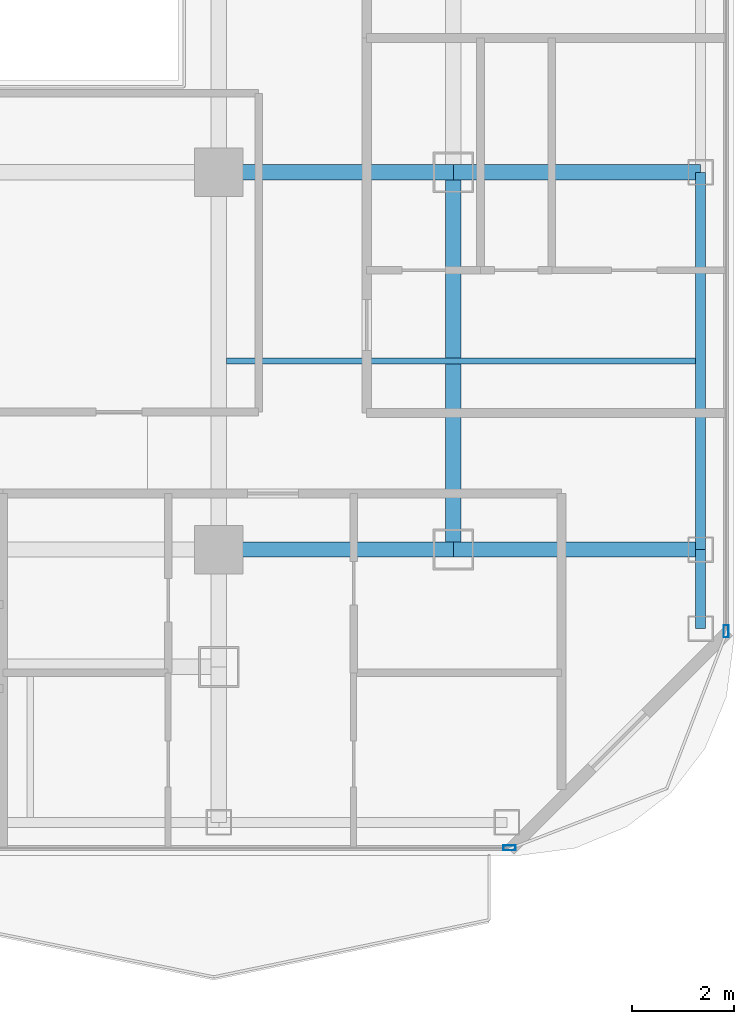
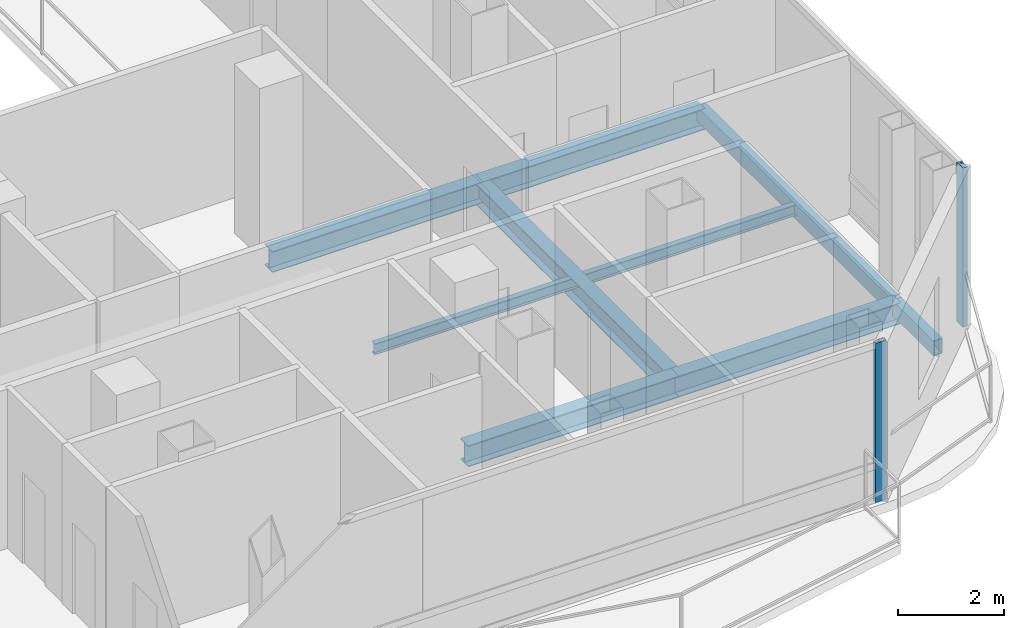
# One storey, part 8 of 24: 8 beams, 2 members, 2 elements without a shape of their own.
"""IFC4 building model written with IfcOpenShell, lengths in metres."""

import ifcopenshell
import ifcopenshell.guid

model = None  # the IFC model being written
_history = None  # IfcOwnerHistory: only IFC2X3 demands one
_inside = {}  # id of a spatial element -> (the spatial element, [elements in it])
_under = {}  # id of a project, library or spatial element -> (it, [spatial elements below it])
_declared = {}  # id of a project -> (the project, [libraries it declares])
_typed = {}  # id of a type object -> (the type object, [elements of that type])
_made_of = {}  # id of a material, layer set ... -> (it, [elements and type objects made of it])


def new_model(schema):
    """Start an empty IFC model of exactly this schema.

    Asked for "IFC4X3", IfcOpenShell would pick the latest addendum, in which some entities
    have other attributes; the version numbers below select the first issue.
    IFC2X3 requires an IfcOwnerHistory on every rooted entity: one is made here for all.
    """
    global model, _history
    if schema == "IFC4X3":
        model = ifcopenshell.file(schema_version=(4, 3, 0, 0))
    else:
        model = ifcopenshell.file(schema=schema)
    _inside.clear()
    _under.clear()
    _declared.clear()
    _typed.clear()
    _made_of.clear()
    _history = None
    if model.schema == "IFC2X3":
        org = make("IfcOrganization", Name="unknown")
        user = make(
            "IfcPersonAndOrganization",
            ThePerson=make("IfcPerson", FamilyName="unknown"),
            TheOrganization=org,
        )
        app = make(
            "IfcApplication",
            ApplicationDeveloper=org,
            Version="unknown",
            ApplicationFullName="unknown",
            ApplicationIdentifier="unknown",
        )
        _history = make(
            "IfcOwnerHistory",
            OwningUser=user,
            OwningApplication=app,
            ChangeAction="ADDED",
            CreationDate=0,
        )
    return model


def make(cls, **values):
    """One entity of the class cls with the attributes given. An attribute that is None is left unset."""
    return model.create_entity(
        cls, **{name: value for name, value in values.items() if value is not None}
    )


def rooted(cls, **values):
    """An entity with a GlobalId (a new one), such as an element, a storey or a relation."""
    return make(cls, GlobalId=ifcopenshell.guid.new(), OwnerHistory=_history, **values)


def si_unit(unit_type, name, prefix=None):
    """IfcSIUnit, for example si_unit("LENGTHUNIT", "METRE", prefix="MILLI")."""
    return make("IfcSIUnit", UnitType=unit_type, Prefix=prefix, Name=name)


def assignment(units):
    """IfcUnitAssignment: the units of a project."""
    return None if units is None else make("IfcUnitAssignment", Units=units)


def point(xyz):
    """IfcCartesianPoint."""
    return None if xyz is None else make("IfcCartesianPoint", Coordinates=xyz)


def direction(xyz):
    """IfcDirection."""
    return None if xyz is None else make("IfcDirection", DirectionRatios=xyz)


def frame(location, z_axis=None, x_axis=None):
    """IfcAxis2Placement3D, a coordinate frame: its origin and axes. An axis left out is left unset."""
    return make(
        "IfcAxis2Placement3D",
        Location=point(location),
        Axis=direction(z_axis),
        RefDirection=direction(x_axis),
    )


def frame_2d(location, x_axis=None):
    """IfcAxis2Placement2D, a coordinate frame in the plane: its origin and x axis."""
    return make(
        "IfcAxis2Placement2D", Location=point(location), RefDirection=direction(x_axis)
    )


def origin():
    """The frame at (0, 0, 0) with its axes left unset."""
    return frame((0.0, 0.0, 0.0))


def origin_2d():
    """The frame at (0, 0) in the plane with its x axis left unset."""
    return frame_2d((0.0, 0.0))


def place(relative_to, where):
    """IfcLocalPlacement: puts the frame where relative to a parent placement (None: the world)."""
    return make(
        "IfcLocalPlacement", PlacementRelTo=relative_to, RelativePlacement=where
    )


def context(
    kind, dimensions, precision=None, world=None, true_north=None, identifier=None
):
    """IfcGeometricRepresentationContext, for example the 3D "Model" context."""
    return make(
        "IfcGeometricRepresentationContext",
        ContextIdentifier=identifier,
        ContextType=kind,
        CoordinateSpaceDimension=dimensions,
        Precision=precision,
        WorldCoordinateSystem=world,
        TrueNorth=true_north,
    )


def subcontext(parent, identifier, kind, view, scale=None):
    """IfcGeometricRepresentationSubContext, for example "Body" below "Model"."""
    return make(
        "IfcGeometricRepresentationSubContext",
        ContextIdentifier=identifier,
        ContextType=kind,
        ParentContext=parent,
        TargetScale=scale,
        TargetView=view,
    )


def project(units=None, contexts=None):
    """IfcProject with its units and contexts."""
    return rooted(
        "IfcProject",
        Name="project",
        RepresentationContexts=contexts,
        UnitsInContext=assignment(units),
    )


def spatial(cls, under=None, at=None, **own):
    """A site, building, storey or space (cls), placed at a placement, below another one or the project."""
    s = rooted(cls, ObjectPlacement=at, **own)
    if under is not None:
        _under.setdefault(under.id(), (under, []))[1].append(s)
    return s


def profile(cls, at=None, kind="AREA", **sizes):
    """A parametric profile (cls). Its sizes go by their IFC names, for example OverallWidth=200.0."""
    return make(cls, ProfileType=kind, Position=at, **sizes)


def hollow_rectangle(**sizes):
    """IfcRectangleHollowProfileDef."""
    return profile("IfcRectangleHollowProfileDef", **sizes)


def i_section(**sizes):
    """IfcIShapeProfileDef."""
    return profile("IfcIShapeProfileDef", **sizes)


def extrude(swept, where, along, depth):
    """IfcExtrudedAreaSolid: the profile swept, set in the frame where, extruded along a direction by depth."""
    return make(
        "IfcExtrudedAreaSolid",
        SweptArea=swept,
        Position=where,
        ExtrudedDirection=direction(along),
        Depth=depth,
    )


def shape(context_of_items, identifier, shape_type, items):
    """IfcShapeRepresentation: the items that make up one representation, for example the "Body"."""
    return make(
        "IfcShapeRepresentation",
        ContextOfItems=context_of_items,
        RepresentationIdentifier=identifier,
        RepresentationType=shape_type,
        Items=items,
    )


def material(Name=None, Category=None):
    """IfcMaterial."""
    return make("IfcMaterial", Name=Name, Category=Category)


def layer(
    of_material, thickness, ventilated=None, Name=None, Category=None, Priority=None
):
    """IfcMaterialLayer: one layer of a wall or slab, of a material (None: an air gap)."""
    return make(
        "IfcMaterialLayer",
        Material=of_material,
        LayerThickness=thickness,
        IsVentilated=ventilated,
        Name=Name,
        Category=Category,
        Priority=Priority,
    )


def layer_set(layers, Name=None):
    """IfcMaterialLayerSet."""
    return make("IfcMaterialLayerSet", MaterialLayers=layers, LayerSetName=Name)


def material_profile(
    of_material, cross_section, Name=None, Category=None, Priority=None
):
    """IfcMaterialProfile: a cross section and its material."""
    return make(
        "IfcMaterialProfile",
        Name=Name,
        Material=of_material,
        Profile=cross_section,
        Priority=Priority,
        Category=Category,
    )


def profile_set(profiles, Name=None, composite=None):
    """IfcMaterialProfileSet."""
    return make(
        "IfcMaterialProfileSet",
        Name=Name,
        MaterialProfiles=profiles,
        CompositeProfile=composite,
    )


def made_of(thing, what):
    """Note that an element or type object is made of a material, layer set ...; save() writes the relation."""
    if what is not None:
        _made_of.setdefault(what.id(), (what, []))[1].append(thing)
    return thing


def type_object(cls, material=None, **own):
    """A type object (cls), such as IfcWallType, which elements share."""
    return made_of(rooted(cls, **own), material)


def element(
    cls,
    number,
    at=None,
    inside=None,
    cuts=None,
    type_object=None,
    material=None,
    context=None,
    identifier="Body",
    shape_type=None,
    held_by="IfcProductDefinitionShape",
    body=None,
    shapes=None,
    **own,
):
    """One element of the class cls, such as IfcWall. Its Tag is "e" and its number.

    at: its placement. inside: the storey or other place that contains it. cuts: it is an
    opening in that element (IfcRelVoidsElement). A single representation is given by context,
    identifier, shape_type and body (its items); several are given by shapes. held_by: the class
    of the entity that holds the representations. save() writes the other relations.
    """
    e = rooted(cls, Tag="e%d" % number, ObjectPlacement=at, **own)
    if body is not None:
        shapes = [shape(context, identifier, shape_type, body)]
    if shapes is not None:
        e.Representation = make(held_by, Representations=shapes)
    if inside is not None:
        _inside.setdefault(inside.id(), (inside, []))[1].append(e)
    if cuts is not None:
        rooted(
            "IfcRelVoidsElement", RelatingBuildingElement=cuts, RelatedOpeningElement=e
        )
    if type_object is not None:
        _typed.setdefault(type_object.id(), (type_object, []))[1].append(e)
    return made_of(e, material)


def aggregate(whole, parts):
    """IfcRelAggregates: a whole, such as a stair, and the parts it consists of."""
    return rooted("IfcRelAggregates", RelatingObject=whole, RelatedObjects=parts)


def save(model, path):
    """Write the relations noted so far, then the file.

    IfcRelAggregates (storeys below a building ...), IfcRelContainedInSpatialStructure (elements
    in a storey), IfcRelDefinesByType, IfcRelAssociatesMaterial and IfcRelDeclares: one each for
    every whole, place, type object, material and project.
    """
    for whole, parts in _under.values():
        aggregate(whole, parts)
    for where, things in _inside.values():
        rooted(
            "IfcRelContainedInSpatialStructure",
            RelatedElements=things,
            RelatingStructure=where,
        )
    for kind, things in _typed.values():
        rooted("IfcRelDefinesByType", RelatedObjects=things, RelatingType=kind)
    for what, things in _made_of.values():
        rooted("IfcRelAssociatesMaterial", RelatedObjects=things, RelatingMaterial=what)
    for by, libraries in _declared.values():
        rooted("IfcRelDeclares", RelatingContext=by, RelatedDefinitions=libraries)
    model.write(path)


model = new_model("IFC4")

# Units and contexts
model_context = context("Model", 3, precision=1e-05, world=origin(), true_north=direction((0.0, 1.0)))
body_context = subcontext(model_context, "Body", "Model", "MODEL_VIEW")
ifc_project = project(units=[si_unit("LENGTHUNIT", "METRE"), si_unit("AREAUNIT", "SQUARE_METRE"), si_unit("VOLUMEUNIT", "CUBIC_METRE"), si_unit("PLANEANGLEUNIT", "RADIAN"), si_unit("MASSUNIT", "GRAM", prefix="KILO")], contexts=[model_context])

# Site, building, storey
site_placement = place(None, origin())
site = spatial("IfcSite", under=ifc_project, at=site_placement, CompositionType="ELEMENT")
building_placement = place(site_placement, origin())
building = spatial("IfcBuilding", under=site, at=building_placement, Name="Khorvyn Point Tower", CompositionType="ELEMENT")
storey_placement = place(building_placement, frame((0.0, 0.0, 266.39990234375)))
storey = spatial("IfcBuildingStorey", under=building, at=storey_placement, Name="L65", CompositionType="ELEMENT", Elevation=266.39990234375)

# Curtain wall, member
ifc_material_1 = material(Name="Anodised aluminium 6063-T6 and laminated Low-E glass", Category="aluminium")
ifc_layer = layer(ifc_material_1, 0.18994140625)
ifc_layer_set = layer_set([ifc_layer], Name="Stick-Built High-Wind Curtain Wall CW-SYS-04")
curtain_wall_type = type_object("IfcCurtainWallType", Name="Stick-Built High-Wind Curtain Wall CW-SYS-04", PredefinedType="NOTDEFINED", material=ifc_layer_set)
curtain_wall_1_placement = place(storey_placement, origin())
curtain_wall_1 = element("IfcCurtainWall", 1, at=curtain_wall_1_placement, inside=storey, type_object=curtain_wall_type, Name="Curtain Wall", PredefinedType="NOTDEFINED")
ifc_material_2 = material(Name="Anodised aluminium 6063-T6", Category="aluminium")
ifc_material_profile_1 = material_profile(ifc_material_2, hollow_rectangle(XDim=0.10009765625, YDim=0.239990234375, WallThickness=0.0048828125, at=origin_2d()))
ifc_profile_set_1 = profile_set([ifc_material_profile_1], Name="Anodised aluminium 6063-T6 ALU-MUL-100x240")
member_type = type_object("IfcMemberType", Name="Anodised Aluminium 6063-T6 Mullion ALU-MUL-100x240", PredefinedType="MULLION", material=ifc_profile_set_1)
member_1_placement = place(storey_placement, frame((20.5, -20.64990234375, 0.0), z_axis=(0.0, 0.0, 1.0), x_axis=(0.0, -1.0, 0.0)))
member_1 = element("IfcMember", 2, at=member_1_placement, type_object=member_type, Name="Transom", PredefinedType="MULLION", context=body_context, shape_type="SweptSolid", body=[
    extrude(hollow_rectangle(XDim=0.10009765625, YDim=0.239990234375, WallThickness=0.0048828125, at=origin_2d()), origin(), (0.0, 0.0, 1.0), 3.68017578125),
])
aggregate(curtain_wall_1, [member_1])

curtain_wall_2_placement = place(storey_placement, origin())
curtain_wall_2 = element("IfcCurtainWall", 3, at=curtain_wall_2_placement, inside=storey, type_object=curtain_wall_type, Name="Curtain Wall", PredefinedType="NOTDEFINED")
member_2_placement = place(storey_placement, frame((24.75, -16.39990234375, 0.0), z_axis=(0.0, 0.0, 1.0), x_axis=(1.0, 0.0, 0.0)))
member_2 = element("IfcMember", 4, at=member_2_placement, type_object=member_type, Name="Transom", PredefinedType="MULLION", context=body_context, shape_type="SweptSolid", body=[
    extrude(hollow_rectangle(XDim=0.10009765625, YDim=0.239990234375, WallThickness=0.0048828125, at=origin_2d()), origin(), (0.0, 0.0, 1.0), 3.68017578125),
])
aggregate(curtain_wall_2, [member_2])

# Beams
ifc_material_3 = material(Name="Steel S355", Category="steel")
ifc_material_profile_2 = material_profile(ifc_material_3, i_section(OverallWidth=0.125, OverallDepth=0.25, WebThickness=0.006103515625, FlangeThickness=0.009033203125, at=origin_2d()))
ifc_profile_set_2 = profile_set([ifc_material_profile_2], Name="Steel S355 H250x125x6x9")
beam_type_1 = type_object("IfcBeamType", Name="Steel S355 Joist H250x125x6x9", PredefinedType="JOIST", material=ifc_profile_set_2)
beam_1_placement = place(storey_placement, frame((14.949951171875, -11.10009765625, -0.344970703125), z_axis=(1.0, 0.0, 0.0), x_axis=(0.0, 1.0, 0.0)))
element("IfcBeam", 5, at=beam_1_placement, inside=storey, type_object=beam_type_1, Name="Beam", PredefinedType="JOIST", context=body_context, shape_type="SweptSolid", body=[
    extrude(i_section(OverallWidth=0.125, OverallDepth=0.25, WebThickness=0.006103515625, FlangeThickness=0.009033203125, at=origin_2d()), origin(), (0.0, 0.0, 1.0), 9.199951171875),
])
ifc_material_profile_3 = material_profile(ifc_material_3, i_section(OverallWidth=0.300048828125, OverallDepth=0.488037109375, WebThickness=0.010986328125, FlangeThickness=0.01806640625, at=origin_2d()))
ifc_profile_set_3 = profile_set([ifc_material_profile_3], Name="Steel S355 H488x300x11x18")
beam_type_2 = type_object("IfcBeamType", Name="Steel S355 Spandrel H488x300x11x18", PredefinedType="SPANDREL", material=ifc_profile_set_3)
beam_2_placement = place(storey_placement, frame((14.800048828125, -14.800048828125, -0.4638671875), z_axis=(1.0, 0.0, 0.0), x_axis=(0.0, 1.0, 0.0)))
element("IfcBeam", 6, at=beam_2_placement, inside=storey, type_object=beam_type_2, Name="Beam", PredefinedType="SPANDREL", context=body_context, shape_type="SweptSolid", body=[
    extrude(i_section(OverallWidth=0.300048828125, OverallDepth=0.488037109375, WebThickness=0.010986328125, FlangeThickness=0.01806640625, at=origin_2d()), origin(), (0.0, 0.0, 1.0), 4.599853515625),
])
beam_3_placement = place(storey_placement, frame((19.39990234375, -14.800048828125, -0.4638671875), z_axis=(1.0, 0.0, 0.0), x_axis=(0.0, 1.0, 0.0)))
element("IfcBeam", 7, at=beam_3_placement, inside=storey, type_object=beam_type_2, Name="Beam", PredefinedType="SPANDREL", context=body_context, shape_type="SweptSolid", body=[
    extrude(i_section(OverallWidth=0.300048828125, OverallDepth=0.488037109375, WebThickness=0.010986328125, FlangeThickness=0.01806640625, at=origin_2d()), origin(), (0.0, 0.0, 1.0), 4.85009765625),
])
beam_4_placement = place(storey_placement, frame((14.800048828125, -7.39990234375, -0.4638671875), z_axis=(1.0, 0.0, 0.0), x_axis=(0.0, 1.0, 0.0)))
element("IfcBeam", 8, at=beam_4_placement, inside=storey, type_object=beam_type_2, Name="Beam", PredefinedType="SPANDREL", context=body_context, shape_type="SweptSolid", body=[
    extrude(i_section(OverallWidth=0.300048828125, OverallDepth=0.488037109375, WebThickness=0.010986328125, FlangeThickness=0.01806640625, at=origin_2d()), origin(), (0.0, 0.0, 1.0), 4.599853515625),
])
beam_5_placement = place(storey_placement, frame((19.39990234375, -7.39990234375, -0.4638671875), z_axis=(1.0, 0.0, 0.0), x_axis=(0.0, 1.0, 0.0)))
element("IfcBeam", 9, at=beam_5_placement, inside=storey, type_object=beam_type_2, Name="Beam", PredefinedType="SPANDREL", context=body_context, shape_type="SweptSolid", body=[
    extrude(i_section(OverallWidth=0.300048828125, OverallDepth=0.488037109375, WebThickness=0.010986328125, FlangeThickness=0.01806640625, at=origin_2d()), origin(), (0.0, 0.0, 1.0), 4.85009765625),
])
beam_6_placement = place(storey_placement, frame((19.39990234375, -14.800048828125, -0.4638671875), z_axis=(0.0, 1.0, 0.0), x_axis=(-1.0, 0.0, 0.0)))
element("IfcBeam", 10, at=beam_6_placement, inside=storey, type_object=beam_type_2, Name="Beam", PredefinedType="SPANDREL", context=body_context, shape_type="SweptSolid", body=[
    extrude(i_section(OverallWidth=0.300048828125, OverallDepth=0.488037109375, WebThickness=0.010986328125, FlangeThickness=0.01806640625, at=origin_2d()), origin(), (0.0, 0.0, 1.0), 7.400146484375),
])
ifc_material_profile_4 = material_profile(ifc_material_3, hollow_rectangle(XDim=0.199951171875, YDim=0.35009765625, WallThickness=0.013916015625, at=origin_2d()))
ifc_profile_set_4 = profile_set([ifc_material_profile_4], Name="Steel S355 RHS350x200x14")
beam_type_3 = type_object("IfcBeamType", Name="Steel S355 Spandrel RHS350x200x14", PredefinedType="SPANDREL", material=ifc_profile_set_4)
beam_7_placement = place(storey_placement, frame((24.25, -16.35009765625, -0.39501953125), z_axis=(0.0, 1.0, 0.0), x_axis=(-1.0, 0.0, 0.0)))
element("IfcBeam", 11, at=beam_7_placement, inside=storey, type_object=beam_type_3, Name="Beam", PredefinedType="SPANDREL", context=body_context, shape_type="SweptSolid", body=[
    extrude(hollow_rectangle(XDim=0.199951171875, YDim=0.35009765625, WallThickness=0.013916015625, at=origin_2d()), origin(), (0.0, 0.0, 1.0), 1.550048828125),
])
beam_8_placement = place(storey_placement, frame((24.25, -14.800048828125, -0.39501953125), z_axis=(0.0, 1.0, 0.0), x_axis=(-1.0, 0.0, 0.0)))
element("IfcBeam", 12, at=beam_8_placement, inside=storey, type_object=beam_type_3, Name="Beam", PredefinedType="SPANDREL", context=body_context, shape_type="SweptSolid", body=[
    extrude(hollow_rectangle(XDim=0.199951171875, YDim=0.35009765625, WallThickness=0.013916015625, at=origin_2d()), origin(), (0.0, 0.0, 1.0), 7.400146484375),
])

save(model, "model.ifc")
